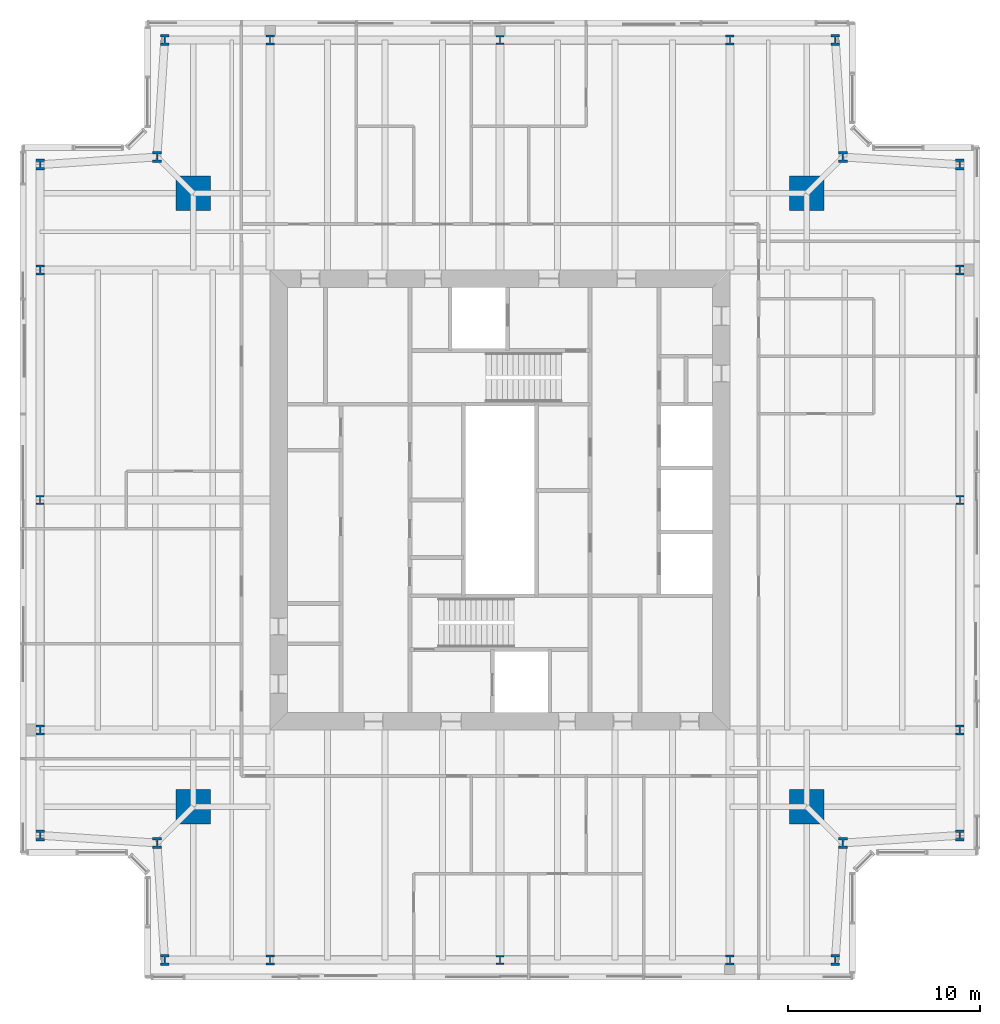
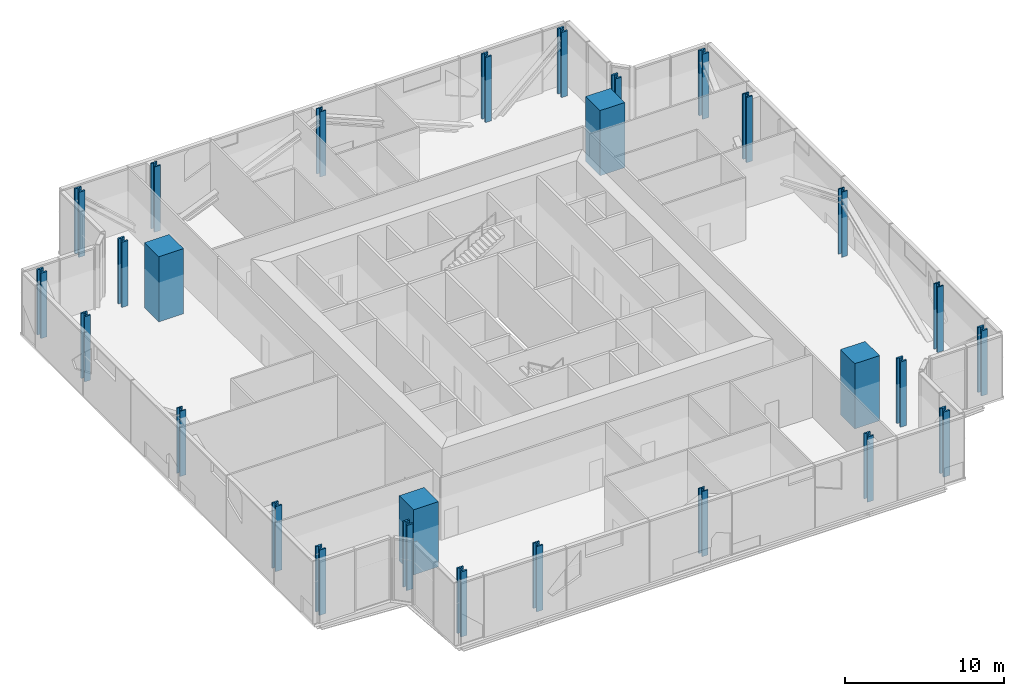
# One storey, part 1 of 15: 28 columns.
"""IFC4 building model written with IfcOpenShell, lengths in metres."""

from ifc_helpers import new_model, si_unit, direction, frame, origin, origin_2d, place, context, subcontext, project, spatial, rectangle, i_section, extrude, material, material_profile, profile_set, type_object, element, save


model = new_model("IFC4")

# Units and contexts
model_context = context("Model", 3, precision=1e-05, world=origin(), true_north=direction((0.0, 1.0)))
body_context = subcontext(model_context, "Body", "Model", "MODEL_VIEW")
ifc_project = project(units=[si_unit("LENGTHUNIT", "METRE"), si_unit("AREAUNIT", "SQUARE_METRE"), si_unit("VOLUMEUNIT", "CUBIC_METRE"), si_unit("PLANEANGLEUNIT", "RADIAN"), si_unit("MASSUNIT", "GRAM", prefix="KILO")], contexts=[model_context])

# Site, building, storey
site_placement = place(None, origin())
site = spatial("IfcSite", under=ifc_project, at=site_placement, CompositionType="ELEMENT")
building_placement = place(site_placement, origin())
building = spatial("IfcBuilding", under=site, at=building_placement, Name="Fenwick Lantern Interchange", CompositionType="ELEMENT")
storey_placement = place(building_placement, frame((0.0, 0.0, 296.800048828125)))
storey = spatial("IfcBuildingStorey", under=building, at=storey_placement, Name="L72", CompositionType="ELEMENT", Elevation=296.800048828125)

# Columns
ifc_material_1 = material(Name="Concrete f'c 70 MPa", Category="concrete")
ifc_material_profile_1 = material_profile(ifc_material_1, rectangle(XDim=1.800048828125, YDim=1.800048828125, at=origin_2d()), Name="RC1800X1800")
ifc_profile_set_1 = profile_set([ifc_material_profile_1], Name="Concrete f'c 70 MPa")
column_type_1 = type_object("IfcColumnType", Name="MEGA COLUMN RC1800X1800", PredefinedType="COLUMN", material=ifc_profile_set_1)
for number, where, z_axis, x_axis, name in (
    (1, (9.0, 9.0, 0.0), (0.0, 0.0, 1.0), (1.0, 0.0, 0.0), "L72/M1"),
    (2, (41.0, 9.0, 0.0), (0.0, 0.0, 1.0), (1.0, 0.0, 0.0), "L72/M2"),
    (3, (41.0, 41.0, 0.0), (0.0, 0.0, 1.0), (1.0, 0.0, 0.0), "L72/M3"),
    (4, (9.0, 41.0, 0.0), (0.0, 0.0, 1.0), (1.0, 0.0, 0.0), "L72/M4"),
):
    element("IfcColumn", number, at=place(storey_placement, frame(where, z_axis=z_axis, x_axis=x_axis)), inside=storey, type_object=column_type_1, Name=name, PredefinedType="COLUMN", context=body_context, shape_type="SweptSolid", body=[
        extrude(rectangle(XDim=1.800048828125, YDim=1.800048828125, at=origin_2d()), origin(), (0.0, 0.0, 1.0), 5.0),
    ])
ifc_material_2 = material(Name="Steel ASTM A992 Grade 50", Category="steel")
ifc_material_profile_2 = material_profile(ifc_material_2, i_section(OverallWidth=0.424072265625, OverallDepth=0.47509765625, WebThickness=0.0478515625, FlangeThickness=0.0771484375, at=origin_2d()), Name="W14X426")
ifc_profile_set_2 = profile_set([ifc_material_profile_2], Name="Steel ASTM A992 Grade 50")
column_type_2 = type_object("IfcColumnType", Name="PERIMETER COLUMN W14X426", PredefinedType="COLUMN", material=ifc_profile_set_2)
for number, where, z_axis, x_axis, name in (
    (5, (25.0, 1.0, 0.0), (0.0, 0.0, 1.0), (1.0, 0.0, 0.0), "L72/CS3"),
    (6, (49.0, 25.0, 0.0), (0.0, 0.0, 1.0), (1.0, 0.0, 0.0), "L72/CE3"),
    (7, (25.0, 49.0, 0.0), (0.0, 0.0, 1.0), (1.0, 0.0, 0.0), "L72/CN3"),
    (8, (1.0, 25.0, 0.0), (0.0, 0.0, 1.0), (1.0, 0.0, 0.0), "L72/CW3"),
):
    element("IfcColumn", number, at=place(storey_placement, frame(where, z_axis=z_axis, x_axis=x_axis)), inside=storey, type_object=column_type_2, Name=name, PredefinedType="COLUMN", context=body_context, shape_type="SweptSolid", body=[
        extrude(i_section(OverallWidth=0.424072265625, OverallDepth=0.47509765625, WebThickness=0.0478515625, FlangeThickness=0.0771484375, at=origin_2d()), origin(), (0.0, 0.0, 1.0), 5.0),
    ])
ifc_material_profile_3 = material_profile(ifc_material_2, i_section(OverallWidth=0.44189453125, OverallDepth=0.53076171875, WebThickness=0.06591796875, FlangeThickness=0.105712890625, at=origin_2d()), Name="W14X605")
ifc_profile_set_3 = profile_set([ifc_material_profile_3], Name="Steel ASTM A992 Grade 50")
column_type_3 = type_object("IfcColumnType", Name="PERIMETER COLUMN W14X605", PredefinedType="COLUMN", material=ifc_profile_set_3)
for number, where, z_axis, x_axis, name in (
    (9, (13.0, 1.0, 0.0), (0.0, 0.0, 1.0), (1.0, 0.0, 0.0), "L72/CS2"),
    (10, (37.0, 1.0, 0.0), (0.0, 0.0, 1.0), (1.0, 0.0, 0.0), "L72/CS4"),
    (11, (49.0, 13.0, 0.0), (0.0, 0.0, 1.0), (1.0, 0.0, 0.0), "L72/CE2"),
    (12, (49.0, 37.0, 0.0), (0.0, 0.0, 1.0), (1.0, 0.0, 0.0), "L72/CE4"),
    (13, (37.0, 49.0, 0.0), (0.0, 0.0, 1.0), (1.0, 0.0, 0.0), "L72/CN2"),
    (14, (13.0, 49.0, 0.0), (0.0, 0.0, 1.0), (1.0, 0.0, 0.0), "L72/CN4"),
    (15, (1.0, 37.0, 0.0), (0.0, 0.0, 1.0), (1.0, 0.0, 0.0), "L72/CW2"),
    (16, (1.0, 13.0, 0.0), (0.0, 0.0, 1.0), (1.0, 0.0, 0.0), "L72/CW4"),
):
    element("IfcColumn", number, at=place(storey_placement, frame(where, z_axis=z_axis, x_axis=x_axis)), inside=storey, type_object=column_type_3, Name=name, PredefinedType="COLUMN", context=body_context, shape_type="SweptSolid", body=[
        extrude(i_section(OverallWidth=0.44189453125, OverallDepth=0.53076171875, WebThickness=0.06591796875, FlangeThickness=0.105712890625, at=origin_2d()), origin(), (0.0, 0.0, 1.0), 5.0),
    ])
ifc_material_profile_4 = material_profile(ifc_material_2, i_section(OverallWidth=0.45458984375, OverallDepth=0.56884765625, WebThickness=0.077880859375, FlangeThickness=0.124755859375, at=origin_2d()), Name="W14X730")
ifc_profile_set_4 = profile_set([ifc_material_profile_4], Name="Steel ASTM A992 Grade 50")
column_type_4 = type_object("IfcColumnType", Name="PERIMETER COLUMN W14X730", PredefinedType="COLUMN", material=ifc_profile_set_4)
for number, where, z_axis, x_axis, name in (
    (17, (7.5, 1.0, 0.0), (0.0, 0.0, 1.0), (1.0, 0.0, 0.0), "L72/CS1"),
    (18, (42.5, 1.0, 0.0), (0.0, 0.0, 1.0), (1.0, 0.0, 0.0), "L72/CS5"),
    (19, (42.89990234375, 7.10009765625, 0.0), (0.0, 0.0, 1.0), (1.0, 0.0, 0.0), "L72/CSR"),
    (20, (49.0, 7.5, 0.0), (0.0, 0.0, 1.0), (1.0, 0.0, 0.0), "L72/CE1"),
    (21, (49.0, 42.5, 0.0), (0.0, 0.0, 1.0), (1.0, 0.0, 0.0), "L72/CE5"),
    (22, (42.89990234375, 42.89990234375, 0.0), (0.0, 0.0, 1.0), (1.0, 0.0, 0.0), "L72/CER"),
    (23, (42.5, 49.0, 0.0), (0.0, 0.0, 1.0), (1.0, 0.0, 0.0), "L72/CN1"),
    (24, (7.5, 49.0, 0.0), (0.0, 0.0, 1.0), (1.0, 0.0, 0.0), "L72/CN5"),
    (25, (7.10009765625, 42.89990234375, 0.0), (0.0, 0.0, 1.0), (1.0, 0.0, 0.0), "L72/CNR"),
    (26, (1.0, 42.5, 0.0), (0.0, 0.0, 1.0), (1.0, 0.0, 0.0), "L72/CW1"),
    (27, (1.0, 7.5, 0.0), (0.0, 0.0, 1.0), (1.0, 0.0, 0.0), "L72/CW5"),
    (28, (7.10009765625, 7.10009765625, 0.0), (0.0, 0.0, 1.0), (1.0, 0.0, 0.0), "L72/CWR"),
):
    element("IfcColumn", number, at=place(storey_placement, frame(where, z_axis=z_axis, x_axis=x_axis)), inside=storey, type_object=column_type_4, Name=name, PredefinedType="COLUMN", context=body_context, shape_type="SweptSolid", body=[
        extrude(i_section(OverallWidth=0.45458984375, OverallDepth=0.56884765625, WebThickness=0.077880859375, FlangeThickness=0.124755859375, at=origin_2d()), origin(), (0.0, 0.0, 1.0), 5.0),
    ])

save(model, "model.ifc")
